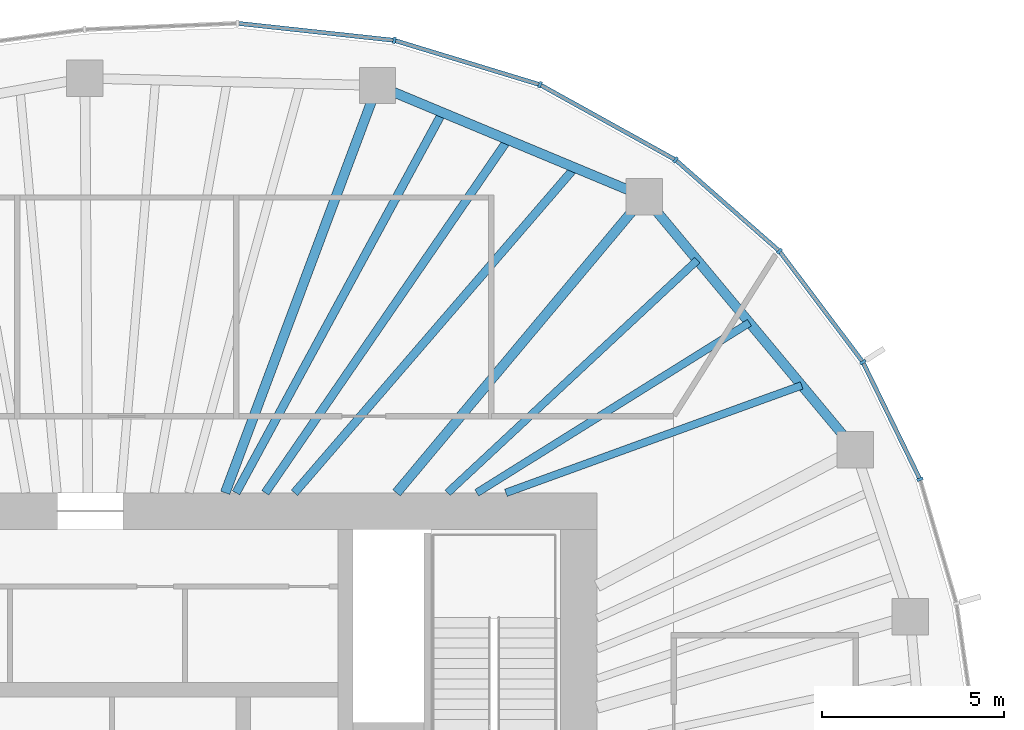
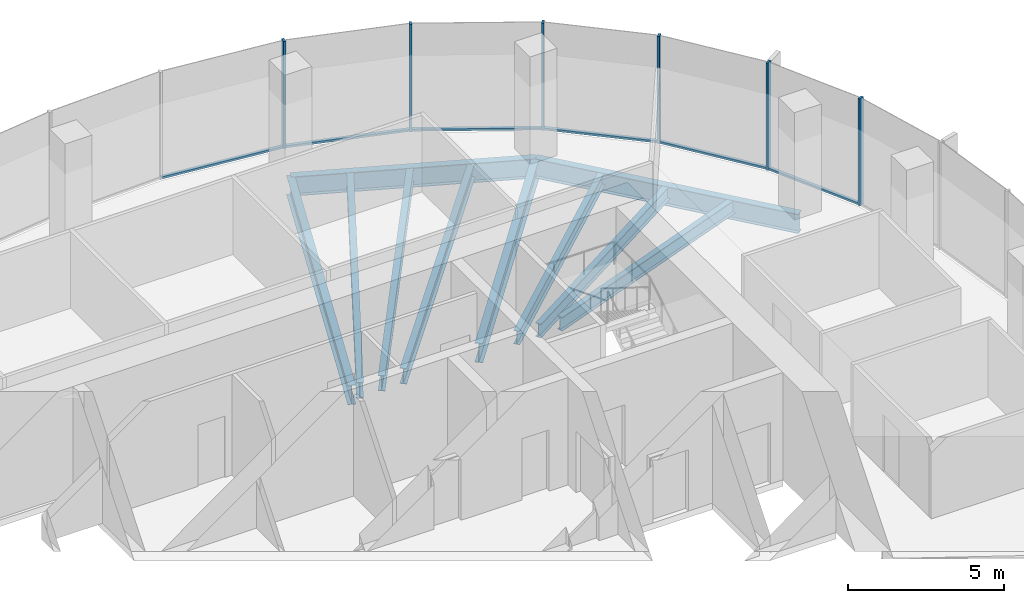
# One storey, part 6 of 11: 12 members, 10 beams, 4 elements without a shape of their own.
"""IFC4 building model written with IfcOpenShell, lengths in metres."""

from ifc_helpers import new_model, si_unit, direction, frame, origin, origin_2d, place, context, subcontext, project, spatial, rectangle, i_section, extrude, material, material_profile, profile_set, type_object, element, aggregate, save


model = new_model("IFC4")

# Units and contexts
model_context = context("Model", 3, precision=1e-05, world=origin(), true_north=direction((0.0, 1.0)))
body_context = subcontext(model_context, "Body", "Model", "MODEL_VIEW")
ifc_project = project(units=[si_unit("LENGTHUNIT", "METRE"), si_unit("AREAUNIT", "SQUARE_METRE"), si_unit("VOLUMEUNIT", "CUBIC_METRE"), si_unit("PLANEANGLEUNIT", "RADIAN"), si_unit("MASSUNIT", "GRAM", prefix="KILO")], contexts=[model_context])

# Site, building, storey
site_placement = place(None, origin())
site = spatial("IfcSite", under=ifc_project, at=site_placement, CompositionType="ELEMENT")
building_placement = place(site_placement, origin())
building = spatial("IfcBuilding", under=site, at=building_placement, Name="Ghaith Harvest Tower", CompositionType="ELEMENT")
storey_placement = place(building_placement, frame((0.0, 0.0, 317.39990234375)))
storey = spatial("IfcBuildingStorey", under=building, at=storey_placement, Name="L71", CompositionType="ELEMENT", Elevation=317.39990234375)

# Curtain wall, member
ifc_material_1 = material(Name="Black anodised aluminium and fritted glass", Category="aluminium")
curtain_wall_type = type_object("IfcCurtainWallType", Name="CW-T CURTAIN WALL", PredefinedType="NOTDEFINED", material=ifc_material_1)
curtain_wall_1_placement = place(storey_placement, origin())
curtain_wall_1 = element("IfcCurtainWall", 1, at=curtain_wall_1_placement, inside=storey, type_object=curtain_wall_type, Name="Curtain wall CW-T bay 02 L71", PredefinedType="NOTDEFINED")
ifc_material_2 = material(Name="Aluminium, black anodised", Category="aluminium")
ifc_material_profile_1 = material_profile(ifc_material_2, rectangle(XDim=0.080078125, YDim=0.179931640625, at=origin_2d()), Name="CW-T MULLION 80x180")
ifc_profile_set_1 = profile_set([ifc_material_profile_1], Name="Aluminium, black anodised")
member_type_1 = type_object("IfcMemberType", Name="CW-T MULLION 80x180", PredefinedType="MULLION", material=ifc_profile_set_1)
member_1_placement = place(storey_placement, frame((22.754150390625, 10.272216796875, 0.0), z_axis=(0.0, 0.0, 1.0), x_axis=(-0.361184273709, 0.932494461338, 0.0)))
member_1 = element("IfcMember", 2, at=member_1_placement, type_object=member_type_1, Name="CW-T mullion 2 bay 02 L71", PredefinedType="MULLION", context=body_context, shape_type="SweptSolid", body=[
    extrude(rectangle(XDim=0.080078125, YDim=0.179931640625, at=origin_2d()), origin(), (0.0, 0.0, 1.0), 4.2001953125),
])

# Curtain wall, members
curtain_wall_2_placement = place(storey_placement, origin())
curtain_wall_2 = element("IfcCurtainWall", 3, at=curtain_wall_2_placement, inside=storey, type_object=curtain_wall_type, Name="Curtain wall CW-T bay 03 L71", PredefinedType="NOTDEFINED")
member_2_placement = place(storey_placement, frame((21.18896484375, 13.48486328125, 0.0), z_axis=(0.0, 0.0, 1.0), x_axis=(-0.524482238522, 0.851421388899, 0.0)))
member_2 = element("IfcMember", 4, at=member_2_placement, type_object=member_type_1, Name="CW-T mullion 1 bay 03 L71", PredefinedType="MULLION", context=body_context, shape_type="SweptSolid", body=[
    extrude(rectangle(XDim=0.080078125, YDim=0.179931640625, at=origin_2d()), origin(), (0.0, 0.0, 1.0), 4.2001953125),
])
member_3_placement = place(storey_placement, frame((18.901123046875, 16.527099609375, 0.0), z_axis=(0.0, 0.0, 1.0), x_axis=(-0.679660897075, 0.733526458274, 0.0)))
member_3 = element("IfcMember", 5, at=member_3_placement, type_object=member_type_1, Name="CW-T mullion 2 bay 03 L71", PredefinedType="MULLION", context=body_context, shape_type="SweptSolid", body=[
    extrude(rectangle(XDim=0.080078125, YDim=0.179931640625, at=origin_2d()), origin(), (0.0, 0.0, 1.0), 4.2001953125),
])

curtain_wall_3_placement = place(storey_placement, origin())
curtain_wall_3 = element("IfcCurtainWall", 6, at=curtain_wall_3_placement, inside=storey, type_object=curtain_wall_type, Name="Curtain wall CW-T bay 04 L71", PredefinedType="NOTDEFINED")
member_4_placement = place(storey_placement, frame((16.04931640625, 19.031982421875, 0.0), z_axis=(0.0, 0.0, 1.0), x_axis=(-0.821112053873, 0.570767023385, 0.0)))
member_4 = element("IfcMember", 7, at=member_4_placement, type_object=member_type_1, Name="CW-T mullion 1 bay 04 L71", PredefinedType="MULLION", context=body_context, shape_type="SweptSolid", body=[
    extrude(rectangle(XDim=0.080078125, YDim=0.179931640625, at=origin_2d()), origin(), (0.0, 0.0, 1.0), 4.2001953125),
])
member_5_placement = place(storey_placement, frame((12.334228515625, 21.091796875, 0.0), z_axis=(0.0, 0.0, 1.0), x_axis=(-0.920319269246, 0.391168049123, 0.0)))
member_5 = element("IfcMember", 8, at=member_5_placement, type_object=member_type_1, Name="CW-T mullion 2 bay 04 L71", PredefinedType="MULLION", context=body_context, shape_type="SweptSolid", body=[
    extrude(rectangle(XDim=0.080078125, YDim=0.179931640625, at=origin_2d()), origin(), (0.0, 0.0, 1.0), 4.2001953125),
])

# Curtain wall, member
curtain_wall_4_placement = place(storey_placement, origin())
curtain_wall_4 = element("IfcCurtainWall", 9, at=curtain_wall_4_placement, inside=storey, type_object=curtain_wall_type, Name="Curtain wall CW-T bay 05 L71", PredefinedType="NOTDEFINED")
member_6_placement = place(storey_placement, frame((8.33984375, 22.308837890625, 0.0), z_axis=(0.0, 0.0, 1.0), x_axis=(-0.980000193436, 0.198996534809, 0.0)))
member_6 = element("IfcMember", 10, at=member_6_placement, type_object=member_type_1, Name="CW-T mullion 1 bay 05 L71", PredefinedType="MULLION", context=body_context, shape_type="SweptSolid", body=[
    extrude(rectangle(XDim=0.080078125, YDim=0.179931640625, at=origin_2d()), origin(), (0.0, 0.0, 1.0), 4.2001953125),
])

# Member
ifc_material_3 = material(Name="Aluminium, black anodised", Category="aluminium")
ifc_material_profile_2 = material_profile(ifc_material_3, rectangle(XDim=0.1201171875, YDim=0.080078125, at=origin_2d()), Name="CW-T TRANSOM 120x80")
ifc_profile_set_2 = profile_set([ifc_material_profile_2], Name="Aluminium, black anodised")
member_type_2 = type_object("IfcMemberType", Name="CW-T TRANSOM 120x80", PredefinedType="USERDEFINED", material=ifc_profile_set_2)
member_7_placement = place(storey_placement, frame((22.736572265625, 10.308349609375, 0.0400390625), z_axis=(-0.437965078712, 0.898991985408, 0.0), x_axis=(-0.898991985408, -0.437965078712, 0.0)))
member_7 = element("IfcMember", 11, at=member_7_placement, type_object=member_type_2, Name="CW-T transom 2 bay 02 L71", ObjectType="TRANSOM", PredefinedType="USERDEFINED", context=body_context, shape_type="SweptSolid", body=[
    extrude(rectangle(XDim=0.1201171875, YDim=0.080078125, at=origin_2d()), origin(), (0.0, 0.0, 1.0), 3.493408203125),
])

aggregate(curtain_wall_1, [member_1, member_7])

member_8_placement = place(storey_placement, frame((21.1650390625, 13.516845703125, 0.0400390625), z_axis=(-0.601079103045, 0.799189534392, 0.0), x_axis=(-0.799189534392, -0.601079103045, 0.0)))
member_8 = element("IfcMember", 12, at=member_8_placement, type_object=member_type_2, Name="CW-T transom 1 bay 03 L71", ObjectType="TRANSOM", PredefinedType="USERDEFINED", context=body_context, shape_type="SweptSolid", body=[
    extrude(rectangle(XDim=0.1201171875, YDim=0.080078125, at=origin_2d()), origin(), (0.0, 0.0, 1.0), 3.7265625),
])

member_9_placement = place(storey_placement, frame((18.87109375, 16.553466796875, 0.0400390625), z_axis=(-0.751325799984, 0.659931467865, 0.0), x_axis=(-0.659931467865, -0.751325799984, 0.0)))
member_9 = element("IfcMember", 13, at=member_9_placement, type_object=member_type_2, Name="CW-T transom 2 bay 03 L71", ObjectType="TRANSOM", PredefinedType="USERDEFINED", context=body_context, shape_type="SweptSolid", body=[
    extrude(rectangle(XDim=0.1201171875, YDim=0.080078125, at=origin_2d()), origin(), (0.0, 0.0, 1.0), 3.7158203125),
])

aggregate(curtain_wall_2, [member_2, member_8, member_3, member_9])

member_10_placement = place(storey_placement, frame((16.01416015625, 19.051513671875, 0.0400390625), z_axis=(-0.874552130553, 0.484931511603, 0.0), x_axis=(-0.484931511603, -0.874552130553, 0.0)))
member_10 = element("IfcMember", 14, at=member_10_placement, type_object=member_type_2, Name="CW-T transom 1 bay 04 L71", ObjectType="TRANSOM", PredefinedType="USERDEFINED", context=body_context, shape_type="SweptSolid", body=[
    extrude(rectangle(XDim=0.1201171875, YDim=0.080078125, at=origin_2d()), origin(), (0.0, 0.0, 1.0), 4.16748046875),
])

member_11_placement = place(storey_placement, frame((12.296142578125, 21.103515625, 0.0400390625), z_axis=(-0.956593713342, 0.291424891858, 0.0), x_axis=(-0.291424891858, -0.956593713342, 0.0)))
member_11 = element("IfcMember", 15, at=member_11_placement, type_object=member_type_2, Name="CW-T transom 2 bay 04 L71", ObjectType="TRANSOM", PredefinedType="USERDEFINED", context=body_context, shape_type="SweptSolid", body=[
    extrude(rectangle(XDim=0.1201171875, YDim=0.080078125, at=origin_2d()), origin(), (0.0, 0.0, 1.0), 4.095703125),
])

aggregate(curtain_wall_3, [member_4, member_10, member_5, member_11])

member_12_placement = place(storey_placement, frame((8.300048828125, 22.313232421875, 0.0400390625), z_axis=(-0.994144463069, 0.108059180768, 0.0), x_axis=(-0.108059180768, -0.994144463069, 0.0)))
member_12 = element("IfcMember", 16, at=member_12_placement, type_object=member_type_2, Name="CW-T transom 1 bay 05 L71", ObjectType="TRANSOM", PredefinedType="USERDEFINED", context=body_context, shape_type="SweptSolid", body=[
    extrude(rectangle(XDim=0.1201171875, YDim=0.080078125, at=origin_2d()), origin(), (0.0, 0.0, 1.0), 4.24755859375),
])

aggregate(curtain_wall_4, [member_6, member_12])

# Beams
ifc_material_4 = material(Name="Steel ASTM A992 Grade 50", Category="steel")
ifc_material_profile_3 = material_profile(ifc_material_4, i_section(OverallWidth=0.26611328125, OverallDepth=0.758056640625, WebThickness=0.013916015625, FlangeThickness=0.019287109375, at=origin_2d()), Name="W760X161")
ifc_profile_set_3 = profile_set([ifc_material_profile_3], Name="Steel ASTM A992 Grade 50")
beam_type_1 = type_object("IfcBeamType", Name="E760-161 W760X161", PredefinedType="SPANDREL", material=ifc_profile_set_3)
beam_1_placement = place(storey_placement, frame((20.97705078125, 11.087890625, -0.548828125), z_axis=(-0.640173759088, 0.76823014662, 0.0), x_axis=(-0.76823014662, -0.640173759088, 0.0)))
element("IfcBeam", 17, at=beam_1_placement, inside=storey, type_object=beam_type_1, Name="Edge beam E03 L71", PredefinedType="SPANDREL", context=body_context, shape_type="SweptSolid", body=[
    extrude(i_section(OverallWidth=0.26611328125, OverallDepth=0.758056640625, WebThickness=0.013916015625, FlangeThickness=0.019287109375, at=origin_2d()), origin(), (0.0, 0.0, 1.0), 9.02734375),
])
beam_2_placement = place(storey_placement, frame((15.197998046875, 18.02294921875, -0.548828125), z_axis=(-0.923119729219, 0.384512633766, 0.0), x_axis=(-0.384512633766, -0.923119729219, 0.0)))
element("IfcBeam", 18, at=beam_2_placement, inside=storey, type_object=beam_type_1, Name="Edge beam E04 L71", PredefinedType="SPANDREL", context=body_context, shape_type="SweptSolid", body=[
    extrude(i_section(OverallWidth=0.26611328125, OverallDepth=0.758056640625, WebThickness=0.013916015625, FlangeThickness=0.019287109375, at=origin_2d()), origin(), (0.0, 0.0, 1.0), 7.9296875),
])
ifc_material_5 = material(Name="Steel ASTM A992 Grade 50", Category="steel")
ifc_material_profile_4 = material_profile(ifc_material_5, i_section(OverallWidth=0.26611328125, OverallDepth=0.758056640625, WebThickness=0.013916015625, FlangeThickness=0.019287109375, at=origin_2d()), Name="W760X161")
ifc_profile_set_4 = profile_set([ifc_material_profile_4], Name="Steel ASTM A992 Grade 50")
beam_type_2 = type_object("IfcBeamType", Name="G760-161 W760X161", PredefinedType="BEAM", material=ifc_profile_set_4)
beam_3_placement = place(storey_placement, frame((8.39990234375, 9.89990234375, -0.548828125), z_axis=(0.641792628883, 0.766878231215, 0.0), x_axis=(-0.766878231215, 0.641792628883, 0.0)))
element("IfcBeam", 19, at=beam_3_placement, inside=storey, type_object=beam_type_2, Name="Radial girder G04 L71", PredefinedType="BEAM", context=body_context, shape_type="SweptSolid", body=[
    extrude(i_section(OverallWidth=0.26611328125, OverallDepth=0.758056640625, WebThickness=0.013916015625, FlangeThickness=0.019287109375, at=origin_2d()), origin(), (0.0, 0.0, 1.0), 10.59228515625),
])
beam_4_placement = place(storey_placement, frame((3.700927734375, 9.89990234375, -0.548828125), z_axis=(0.350201332531, 0.936674450753, 0.0), x_axis=(-0.936674450753, 0.350201332531, 0.0)))
element("IfcBeam", 20, at=beam_4_placement, inside=storey, type_object=beam_type_2, Name="Radial girder G05 L71", PredefinedType="BEAM", context=body_context, shape_type="SweptSolid", body=[
    extrude(i_section(OverallWidth=0.26611328125, OverallDepth=0.758056640625, WebThickness=0.013916015625, FlangeThickness=0.019287109375, at=origin_2d()), origin(), (0.0, 0.0, 1.0), 11.927490234375),
])
ifc_material_6 = material(Name="Steel ASTM A992 Grade 50", Category="steel")
ifc_material_profile_5 = material_profile(ifc_material_6, i_section(OverallWidth=0.2109375, OverallDepth=0.5390625, WebThickness=0.01171875, FlangeThickness=0.018798828125, at=origin_2d()), Name="W530X109")
ifc_profile_set_5 = profile_set([ifc_material_profile_5], Name="Steel ASTM A992 Grade 50")
beam_type_3 = type_object("IfcBeamType", Name="J530-109 W530X109", PredefinedType="JOIST", material=ifc_profile_set_5)
beam_5_placement = place(storey_placement, frame((11.39990234375, 9.89990234375, -0.439453125), z_axis=(0.939925501564, 0.341379629605, 0.0), x_axis=(-0.341379629605, 0.939925501564, 0.0)))
element("IfcBeam", 21, at=beam_5_placement, inside=storey, type_object=beam_type_3, Name="Joist J03.1 L71", PredefinedType="JOIST", context=body_context, shape_type="SweptSolid", body=[
    extrude(i_section(OverallWidth=0.2109375, OverallDepth=0.5390625, WebThickness=0.01171875, FlangeThickness=0.018798828125, at=origin_2d()), origin(), (0.0, 0.0, 1.0), 8.630615234375),
])
beam_6_placement = place(storey_placement, frame((10.60009765625, 9.89990234375, -0.439453125), z_axis=(0.84837619421, 0.52939383553, 0.0), x_axis=(-0.52939383553, 0.84837619421, 0.0)))
element("IfcBeam", 22, at=beam_6_placement, inside=storey, type_object=beam_type_3, Name="Joist J03.2 L71", PredefinedType="JOIST", context=body_context, shape_type="SweptSolid", body=[
    extrude(i_section(OverallWidth=0.2109375, OverallDepth=0.5390625, WebThickness=0.01171875, FlangeThickness=0.018798828125, at=origin_2d()), origin(), (0.0, 0.0, 1.0), 8.814697265625),
])
beam_7_placement = place(storey_placement, frame((9.800048828125, 9.89990234375, -0.439453125), z_axis=(0.73164904944, 0.681681500742, 0.0), x_axis=(-0.681681500742, 0.73164904944, 0.0)))
element("IfcBeam", 23, at=beam_7_placement, inside=storey, type_object=beam_type_3, Name="Joist J03.3 L71", PredefinedType="JOIST", context=body_context, shape_type="SweptSolid", body=[
    extrude(i_section(OverallWidth=0.2109375, OverallDepth=0.5390625, WebThickness=0.01171875, FlangeThickness=0.018798828125, at=origin_2d()), origin(), (0.0, 0.0, 1.0), 9.361572265625),
])
ifc_material_7 = material(Name="Steel ASTM A992 Grade 50", Category="steel")
ifc_material_profile_6 = material_profile(ifc_material_7, i_section(OverallWidth=0.22998046875, OverallDepth=0.616943359375, WebThickness=0.01318359375, FlangeThickness=0.022216796875, at=origin_2d()), Name="W610X140")
ifc_profile_set_6 = profile_set([ifc_material_profile_6], Name="Steel ASTM A992 Grade 50")
beam_type_4 = type_object("IfcBeamType", Name="J610-140 W610X140", PredefinedType="JOIST", material=ifc_profile_set_6)
beam_8_placement = place(storey_placement, frame((5.60009765625, 9.89990234375, -0.478515625), z_axis=(0.652992938501, 0.757363995888, 0.0), x_axis=(-0.757363995888, 0.652992938501, 0.0)))
element("IfcBeam", 24, at=beam_8_placement, inside=storey, type_object=beam_type_4, Name="Joist J04.1 L71", PredefinedType="JOIST", context=body_context, shape_type="SweptSolid", body=[
    extrude(i_section(OverallWidth=0.22998046875, OverallDepth=0.616943359375, WebThickness=0.01318359375, FlangeThickness=0.022216796875, at=origin_2d()), origin(), (0.0, 0.0, 1.0), 11.775390625),
])
beam_9_placement = place(storey_placement, frame((4.800048828125, 9.89990234375, -0.478515625), z_axis=(0.566228035119, 0.824248634967, 0.0), x_axis=(-0.824248634967, 0.566228035119, 0.0)))
element("IfcBeam", 25, at=beam_9_placement, inside=storey, type_object=beam_type_4, Name="Joist J04.2 L71", PredefinedType="JOIST", context=body_context, shape_type="SweptSolid", body=[
    extrude(i_section(OverallWidth=0.22998046875, OverallDepth=0.616943359375, WebThickness=0.01318359375, FlangeThickness=0.022216796875, at=origin_2d()), origin(), (0.0, 0.0, 1.0), 11.748046875),
])
beam_10_placement = place(storey_placement, frame((4.0, 9.89990234375, -0.478515625), z_axis=(0.476764926531, 0.879030832696, 0.0), x_axis=(-0.879030832696, 0.476764926531, 0.0)))
element("IfcBeam", 26, at=beam_10_placement, inside=storey, type_object=beam_type_4, Name="Joist J04.3 L71", PredefinedType="JOIST", context=body_context, shape_type="SweptSolid", body=[
    extrude(i_section(OverallWidth=0.22998046875, OverallDepth=0.616943359375, WebThickness=0.01318359375, FlangeThickness=0.022216796875, at=origin_2d()), origin(), (0.0, 0.0, 1.0), 11.866455078125),
])

save(model, "model.ifc")
